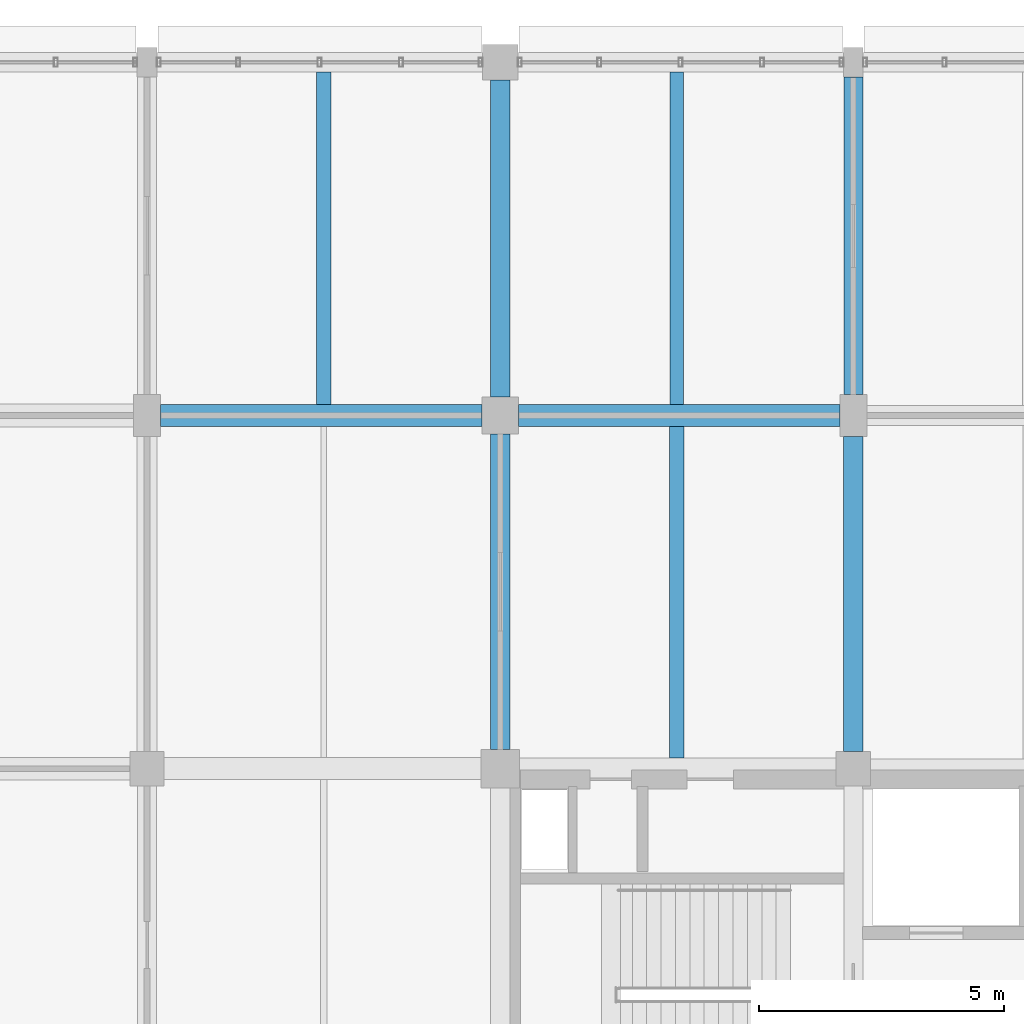
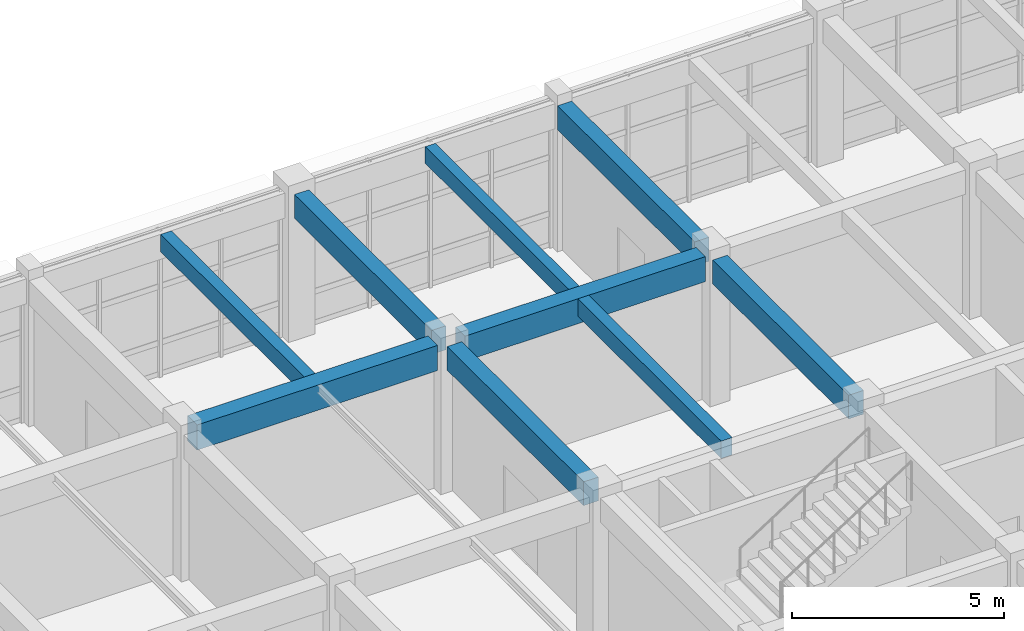
# One storey, part 65 of 171: 9 beams.
"""IFC4 building model written with IfcOpenShell, lengths in metres."""

from ifc_helpers import new_model, si_unit, direction, frame, origin, origin_2d, place, context, subcontext, project, spatial, rectangle, extrude, material, material_profile, profile_set, type_object, element, save


model = new_model("IFC4")

# Units and contexts
model_context = context("Model", 3, precision=1e-05, world=origin(), true_north=direction((0.0, 1.0)))
body_context = subcontext(model_context, "Body", "Model", "MODEL_VIEW")
ifc_project = project(units=[si_unit("LENGTHUNIT", "METRE"), si_unit("AREAUNIT", "SQUARE_METRE"), si_unit("VOLUMEUNIT", "CUBIC_METRE"), si_unit("PLANEANGLEUNIT", "RADIAN"), si_unit("MASSUNIT", "GRAM", prefix="KILO")], contexts=[model_context])

# Site, building, storey
site_placement = place(None, origin())
site = spatial("IfcSite", under=ifc_project, at=site_placement, CompositionType="ELEMENT")
building_placement = place(site_placement, origin())
building = spatial("IfcBuilding", under=site, at=building_placement, Name="Thalmaran Polytechnic", CompositionType="ELEMENT")
storey_placement = place(building_placement, frame((0.0, 0.0, 5.39990234375)))
storey = spatial("IfcBuildingStorey", under=building, at=storey_placement, Name="L01", CompositionType="ELEMENT", Elevation=5.39990234375)

# Beams
ifc_material = material(Name="Concrete C40/50", Category="concrete")
ifc_material_profile_1 = material_profile(ifc_material, rectangle(XDim=0.449951171875, YDim=0.72509765625, at=origin_2d()), Name="RC 450x725")
ifc_profile_set_1 = profile_set([ifc_material_profile_1], Name="Concrete C40/50")
beam_type_1 = type_object("IfcBeamType", Name="BM-RC04", PredefinedType="BEAM", material=ifc_profile_set_1)
beam_1_placement = place(storey_placement, frame((14.675048828125, 115.199951171875, 3.84765625), z_axis=(1.0, 0.0, 0.0), x_axis=(0.0, 1.0, 0.0)))
element("IfcBeam", 1, at=beam_1_placement, inside=storey, type_object=beam_type_1, Name="Grid Beam B04 L01 X(2,16)", PredefinedType="BEAM", context=body_context, shape_type="SweptSolid", body=[
    extrude(rectangle(XDim=0.449951171875, YDim=0.72509765625, at=origin_2d()), origin(), (0.0, 0.0, 1.0), 6.550048828125),
])
ifc_material_profile_2 = material_profile(ifc_material, rectangle(XDim=0.389892578125, YDim=0.68994140625, at=origin_2d()), Name="RC 390x690")
ifc_profile_set_2 = profile_set([ifc_material_profile_2], Name="Concrete C40/50")
beam_type_2 = type_object("IfcBeamType", Name="BM-RC09", PredefinedType="BEAM", material=ifc_profile_set_2)
beam_2_placement = place(storey_placement, frame((21.60009765625, 115.574951171875, 3.864990234375), z_axis=(0.0, 1.0, 0.0), x_axis=(-1.0, 0.0, 0.0)))
element("IfcBeam", 2, at=beam_2_placement, inside=storey, type_object=beam_type_2, Name="Grid Beam B09 L01 Y(3,16)", PredefinedType="BEAM", context=body_context, shape_type="SweptSolid", body=[
    extrude(rectangle(XDim=0.389892578125, YDim=0.68994140625, at=origin_2d()), origin(), (0.0, 0.0, 1.0), 6.465087890625),
])
beam_3_placement = place(storey_placement, frame((28.800048828125, 115.625, 3.864990234375), z_axis=(0.0, 1.0, 0.0), x_axis=(-1.0, 0.0, 0.0)))
element("IfcBeam", 3, at=beam_3_placement, inside=storey, type_object=beam_type_2, Name="Grid Beam B09 L01 Y(4,16)", PredefinedType="BEAM", context=body_context, shape_type="SweptSolid", body=[
    extrude(rectangle(XDim=0.389892578125, YDim=0.68994140625, at=origin_2d()), origin(), (0.0, 0.0, 1.0), 6.47509765625),
])
ifc_material_profile_3 = material_profile(ifc_material, rectangle(XDim=0.300048828125, YDim=0.5, at=origin_2d()), Name="RC 300x500")
ifc_profile_set_3 = profile_set([ifc_material_profile_3], Name="Concrete C40/50")
beam_type_3 = type_object("IfcBeamType", Name="BM-RC11", PredefinedType="JOIST", material=ifc_profile_set_3)
beam_4_placement = place(storey_placement, frame((18.0, 115.425048828125, 3.960205078125), z_axis=(0.0, 1.0, 0.0), x_axis=(-1.0, 0.0, 0.0)))
element("IfcBeam", 4, at=beam_4_placement, inside=storey, type_object=beam_type_3, Name="Secondary Floor Rib RB01 L01 (2,16)", PredefinedType="JOIST", context=body_context, shape_type="SweptSolid", body=[
    extrude(rectangle(XDim=0.300048828125, YDim=0.5, at=origin_2d()), origin(), (0.0, 0.0, 1.0), 6.77490234375),
])
beam_5_placement = place(storey_placement, frame((25.199951171875, 108.219970703125, 3.960205078125), z_axis=(0.0, 1.0, 0.0), x_axis=(-1.0, 0.0, 0.0)))
element("IfcBeam", 5, at=beam_5_placement, inside=storey, type_object=beam_type_3, Name="Secondary Floor Rib RB01 L01 (3,15)", PredefinedType="JOIST", context=body_context, shape_type="SweptSolid", body=[
    extrude(rectangle(XDim=0.300048828125, YDim=0.5, at=origin_2d()), origin(), (0.0, 0.0, 1.0), 6.760009765625),
])
ifc_material_profile_4 = material_profile(ifc_material, rectangle(XDim=0.43994140625, YDim=0.719970703125, at=origin_2d()), Name="RC 440x720")
ifc_profile_set_4 = profile_set([ifc_material_profile_4], Name="Concrete C40/50")
beam_type_4 = type_object("IfcBeamType", Name="BM-ZB03", PredefinedType="BEAM", material=ifc_profile_set_4)
beam_6_placement = place(storey_placement, frame((21.97509765625, 115.199951171875, 3.85009765625), z_axis=(1.0, 0.0, 0.0), x_axis=(0.0, 1.0, 0.0)))
element("IfcBeam", 6, at=beam_6_placement, inside=storey, type_object=beam_type_4, Name="Grid Beam ZB03 L01 X(3,16)", PredefinedType="BEAM", context=body_context, shape_type="SweptSolid", body=[
    extrude(rectangle(XDim=0.43994140625, YDim=0.719970703125, at=origin_2d()), origin(), (0.0, 0.0, 1.0), 6.5498046875),
])
ifc_material_profile_5 = material_profile(ifc_material, rectangle(XDim=0.39990234375, YDim=0.68505859375, at=origin_2d()), Name="RC 400x685")
ifc_profile_set_5 = profile_set([ifc_material_profile_5], Name="Concrete C40/50")
beam_type_5 = type_object("IfcBeamType", Name="BM-ZB07", PredefinedType="BEAM", material=ifc_profile_set_5)
beam_7_placement = place(storey_placement, frame((21.60009765625, 108.389892578125, 3.86767578125), z_axis=(0.0, 1.0, 0.0), x_axis=(-1.0, 0.0, 0.0)))
element("IfcBeam", 7, at=beam_7_placement, inside=storey, type_object=beam_type_5, Name="Grid Beam ZB07 L01 Y(3,15)", PredefinedType="BEAM", context=body_context, shape_type="SweptSolid", body=[
    extrude(rectangle(XDim=0.39990234375, YDim=0.68505859375, at=origin_2d()), origin(), (0.0, 0.0, 1.0), 6.43505859375),
])
beam_8_placement = place(storey_placement, frame((28.800048828125, 108.35009765625, 3.86767578125), z_axis=(0.0, 1.0, 0.0), x_axis=(-1.0, 0.0, 0.0)))
element("IfcBeam", 8, at=beam_8_placement, inside=storey, type_object=beam_type_5, Name="Grid Beam ZB07 L01 Y(4,15)", PredefinedType="BEAM", context=body_context, shape_type="SweptSolid", body=[
    extrude(rectangle(XDim=0.39990234375, YDim=0.68505859375, at=origin_2d()), origin(), (0.0, 0.0, 1.0), 6.4248046875),
])
ifc_material_profile_6 = material_profile(ifc_material, rectangle(XDim=0.280029296875, YDim=0.47998046875, at=origin_2d()), Name="RC 280x480")
ifc_profile_set_6 = profile_set([ifc_material_profile_6], Name="Concrete C40/50")
beam_type_6 = type_object("IfcBeamType", Name="BM-ZJ01", PredefinedType="JOIST", material=ifc_profile_set_6)
beam_9_placement = place(storey_placement, frame((25.199951171875, 115.419921875, 3.97021484375), z_axis=(0.0, 1.0, 0.0), x_axis=(-1.0, 0.0, 0.0)))
element("IfcBeam", 9, at=beam_9_placement, inside=storey, type_object=beam_type_6, Name="Secondary Floor Rib ZJ01 L01 (3,16)", PredefinedType="JOIST", context=body_context, shape_type="SweptSolid", body=[
    extrude(rectangle(XDim=0.280029296875, YDim=0.47998046875, at=origin_2d()), origin(), (0.0, 0.0, 1.0), 6.780029296875),
])

save(model, "model.ifc")
